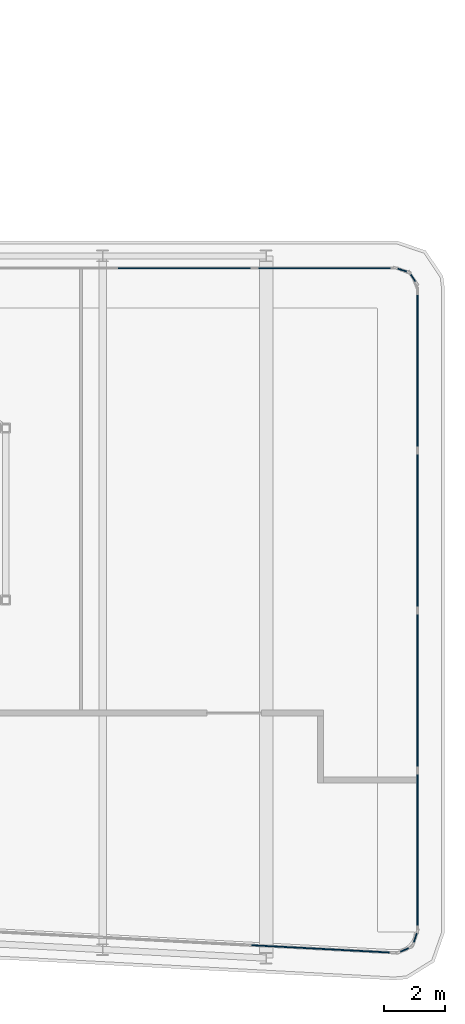
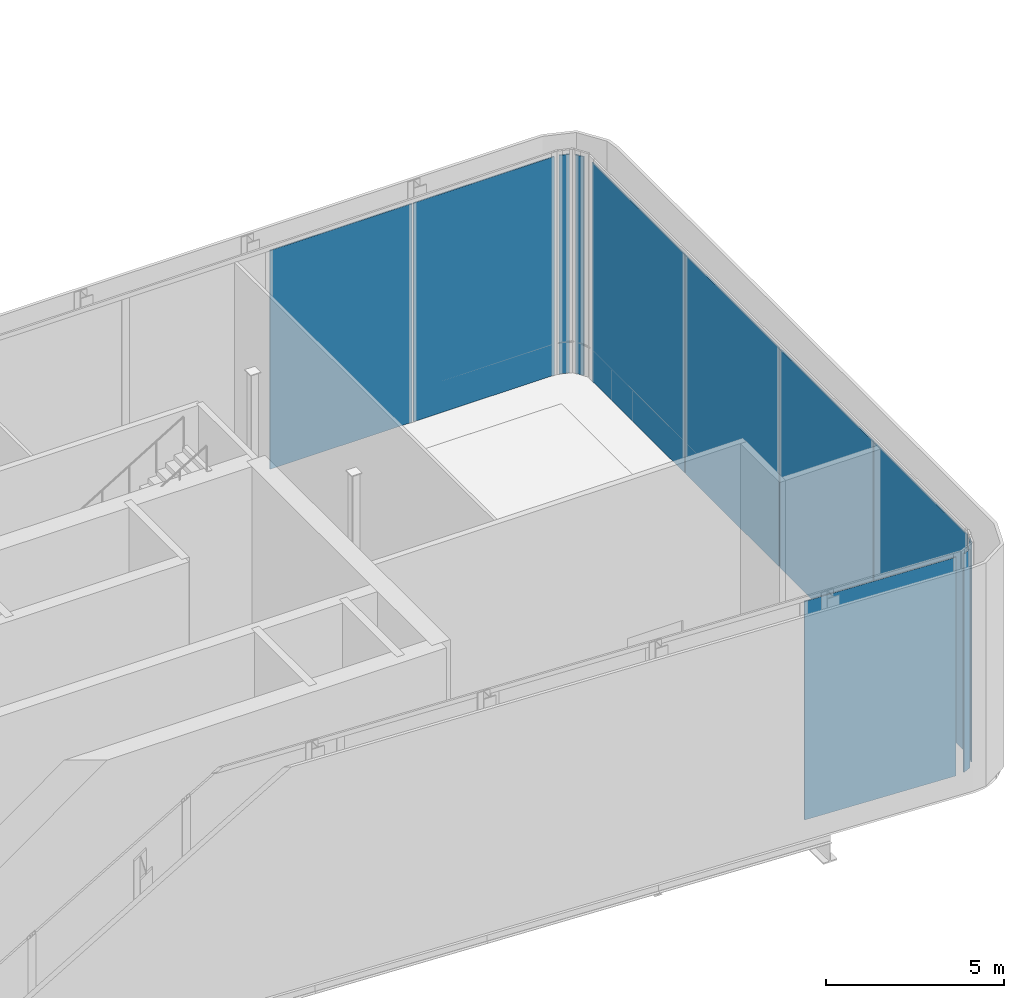
# One storey, part 16 of 28: 11 plates, 7 elements without a shape of their own.
"""IFC4 building model written with IfcOpenShell, lengths in metres."""

import ifcopenshell
import ifcopenshell.guid

model = None  # the IFC model being written
_history = None  # IfcOwnerHistory: only IFC2X3 demands one
_inside = {}  # id of a spatial element -> (the spatial element, [elements in it])
_under = {}  # id of a project, library or spatial element -> (it, [spatial elements below it])
_declared = {}  # id of a project -> (the project, [libraries it declares])
_typed = {}  # id of a type object -> (the type object, [elements of that type])
_made_of = {}  # id of a material, layer set ... -> (it, [elements and type objects made of it])


def new_model(schema):
    """Start an empty IFC model of exactly this schema.

    Asked for "IFC4X3", IfcOpenShell would pick the latest addendum, in which some entities
    have other attributes; the version numbers below select the first issue.
    IFC2X3 requires an IfcOwnerHistory on every rooted entity: one is made here for all.
    """
    global model, _history
    if schema == "IFC4X3":
        model = ifcopenshell.file(schema_version=(4, 3, 0, 0))
    else:
        model = ifcopenshell.file(schema=schema)
    _inside.clear()
    _under.clear()
    _declared.clear()
    _typed.clear()
    _made_of.clear()
    _history = None
    if model.schema == "IFC2X3":
        org = make("IfcOrganization", Name="unknown")
        user = make(
            "IfcPersonAndOrganization",
            ThePerson=make("IfcPerson", FamilyName="unknown"),
            TheOrganization=org,
        )
        app = make(
            "IfcApplication",
            ApplicationDeveloper=org,
            Version="unknown",
            ApplicationFullName="unknown",
            ApplicationIdentifier="unknown",
        )
        _history = make(
            "IfcOwnerHistory",
            OwningUser=user,
            OwningApplication=app,
            ChangeAction="ADDED",
            CreationDate=0,
        )
    return model


def make(cls, **values):
    """One entity of the class cls with the attributes given. An attribute that is None is left unset."""
    return model.create_entity(
        cls, **{name: value for name, value in values.items() if value is not None}
    )


def rooted(cls, **values):
    """An entity with a GlobalId (a new one), such as an element, a storey or a relation."""
    return make(cls, GlobalId=ifcopenshell.guid.new(), OwnerHistory=_history, **values)


def si_unit(unit_type, name, prefix=None):
    """IfcSIUnit, for example si_unit("LENGTHUNIT", "METRE", prefix="MILLI")."""
    return make("IfcSIUnit", UnitType=unit_type, Prefix=prefix, Name=name)


def assignment(units):
    """IfcUnitAssignment: the units of a project."""
    return None if units is None else make("IfcUnitAssignment", Units=units)


def point(xyz):
    """IfcCartesianPoint."""
    return None if xyz is None else make("IfcCartesianPoint", Coordinates=xyz)


def direction(xyz):
    """IfcDirection."""
    return None if xyz is None else make("IfcDirection", DirectionRatios=xyz)


def frame(location, z_axis=None, x_axis=None):
    """IfcAxis2Placement3D, a coordinate frame: its origin and axes. An axis left out is left unset."""
    return make(
        "IfcAxis2Placement3D",
        Location=point(location),
        Axis=direction(z_axis),
        RefDirection=direction(x_axis),
    )


def frame_2d(location, x_axis=None):
    """IfcAxis2Placement2D, a coordinate frame in the plane: its origin and x axis."""
    return make(
        "IfcAxis2Placement2D", Location=point(location), RefDirection=direction(x_axis)
    )


def origin():
    """The frame at (0, 0, 0) with its axes left unset."""
    return frame((0.0, 0.0, 0.0))


def origin_2d():
    """The frame at (0, 0) in the plane with its x axis left unset."""
    return frame_2d((0.0, 0.0))


def place(relative_to, where):
    """IfcLocalPlacement: puts the frame where relative to a parent placement (None: the world)."""
    return make(
        "IfcLocalPlacement", PlacementRelTo=relative_to, RelativePlacement=where
    )


def context(
    kind, dimensions, precision=None, world=None, true_north=None, identifier=None
):
    """IfcGeometricRepresentationContext, for example the 3D "Model" context."""
    return make(
        "IfcGeometricRepresentationContext",
        ContextIdentifier=identifier,
        ContextType=kind,
        CoordinateSpaceDimension=dimensions,
        Precision=precision,
        WorldCoordinateSystem=world,
        TrueNorth=true_north,
    )


def subcontext(parent, identifier, kind, view, scale=None):
    """IfcGeometricRepresentationSubContext, for example "Body" below "Model"."""
    return make(
        "IfcGeometricRepresentationSubContext",
        ContextIdentifier=identifier,
        ContextType=kind,
        ParentContext=parent,
        TargetScale=scale,
        TargetView=view,
    )


def project(units=None, contexts=None):
    """IfcProject with its units and contexts."""
    return rooted(
        "IfcProject",
        Name="project",
        RepresentationContexts=contexts,
        UnitsInContext=assignment(units),
    )


def spatial(cls, under=None, at=None, **own):
    """A site, building, storey or space (cls), placed at a placement, below another one or the project."""
    s = rooted(cls, ObjectPlacement=at, **own)
    if under is not None:
        _under.setdefault(under.id(), (under, []))[1].append(s)
    return s


def profile(cls, at=None, kind="AREA", **sizes):
    """A parametric profile (cls). Its sizes go by their IFC names, for example OverallWidth=200.0."""
    return make(cls, ProfileType=kind, Position=at, **sizes)


def rectangle(**sizes):
    """IfcRectangleProfileDef."""
    return profile("IfcRectangleProfileDef", **sizes)


def extrude(swept, where, along, depth):
    """IfcExtrudedAreaSolid: the profile swept, set in the frame where, extruded along a direction by depth."""
    return make(
        "IfcExtrudedAreaSolid",
        SweptArea=swept,
        Position=where,
        ExtrudedDirection=direction(along),
        Depth=depth,
    )


def shape(context_of_items, identifier, shape_type, items):
    """IfcShapeRepresentation: the items that make up one representation, for example the "Body"."""
    return make(
        "IfcShapeRepresentation",
        ContextOfItems=context_of_items,
        RepresentationIdentifier=identifier,
        RepresentationType=shape_type,
        Items=items,
    )


def material(Name=None, Category=None):
    """IfcMaterial."""
    return make("IfcMaterial", Name=Name, Category=Category)


def layer(
    of_material, thickness, ventilated=None, Name=None, Category=None, Priority=None
):
    """IfcMaterialLayer: one layer of a wall or slab, of a material (None: an air gap)."""
    return make(
        "IfcMaterialLayer",
        Material=of_material,
        LayerThickness=thickness,
        IsVentilated=ventilated,
        Name=Name,
        Category=Category,
        Priority=Priority,
    )


def layer_set(layers, Name=None):
    """IfcMaterialLayerSet."""
    return make("IfcMaterialLayerSet", MaterialLayers=layers, LayerSetName=Name)


def made_of(thing, what):
    """Note that an element or type object is made of a material, layer set ...; save() writes the relation."""
    if what is not None:
        _made_of.setdefault(what.id(), (what, []))[1].append(thing)
    return thing


def type_object(cls, material=None, **own):
    """A type object (cls), such as IfcWallType, which elements share."""
    return made_of(rooted(cls, **own), material)


def element(
    cls,
    number,
    at=None,
    inside=None,
    cuts=None,
    type_object=None,
    material=None,
    context=None,
    identifier="Body",
    shape_type=None,
    held_by="IfcProductDefinitionShape",
    body=None,
    shapes=None,
    **own,
):
    """One element of the class cls, such as IfcWall. Its Tag is "e" and its number.

    at: its placement. inside: the storey or other place that contains it. cuts: it is an
    opening in that element (IfcRelVoidsElement). A single representation is given by context,
    identifier, shape_type and body (its items); several are given by shapes. held_by: the class
    of the entity that holds the representations. save() writes the other relations.
    """
    e = rooted(cls, Tag="e%d" % number, ObjectPlacement=at, **own)
    if body is not None:
        shapes = [shape(context, identifier, shape_type, body)]
    if shapes is not None:
        e.Representation = make(held_by, Representations=shapes)
    if inside is not None:
        _inside.setdefault(inside.id(), (inside, []))[1].append(e)
    if cuts is not None:
        rooted(
            "IfcRelVoidsElement", RelatingBuildingElement=cuts, RelatedOpeningElement=e
        )
    if type_object is not None:
        _typed.setdefault(type_object.id(), (type_object, []))[1].append(e)
    return made_of(e, material)


def aggregate(whole, parts):
    """IfcRelAggregates: a whole, such as a stair, and the parts it consists of."""
    return rooted("IfcRelAggregates", RelatingObject=whole, RelatedObjects=parts)


def save(model, path):
    """Write the relations noted so far, then the file.

    IfcRelAggregates (storeys below a building ...), IfcRelContainedInSpatialStructure (elements
    in a storey), IfcRelDefinesByType, IfcRelAssociatesMaterial and IfcRelDeclares: one each for
    every whole, place, type object, material and project.
    """
    for whole, parts in _under.values():
        aggregate(whole, parts)
    for where, things in _inside.values():
        rooted(
            "IfcRelContainedInSpatialStructure",
            RelatedElements=things,
            RelatingStructure=where,
        )
    for kind, things in _typed.values():
        rooted("IfcRelDefinesByType", RelatedObjects=things, RelatingType=kind)
    for what, things in _made_of.values():
        rooted("IfcRelAssociatesMaterial", RelatedObjects=things, RelatingMaterial=what)
    for by, libraries in _declared.values():
        rooted("IfcRelDeclares", RelatingContext=by, RelatedDefinitions=libraries)
    model.write(path)


model = new_model("IFC4")

# Units and contexts
model_context = context("Model", 3, precision=1e-05, world=origin(), true_north=direction((0.0, 1.0)))
body_context = subcontext(model_context, "Body", "Model", "MODEL_VIEW")
ifc_project = project(units=[si_unit("LENGTHUNIT", "METRE"), si_unit("AREAUNIT", "SQUARE_METRE"), si_unit("VOLUMEUNIT", "CUBIC_METRE"), si_unit("PLANEANGLEUNIT", "RADIAN"), si_unit("MASSUNIT", "GRAM", prefix="KILO")], contexts=[model_context])

# Site, building, storey
site_placement = place(None, origin())
site = spatial("IfcSite", under=ifc_project, at=site_placement, CompositionType="ELEMENT")
building_placement = place(site_placement, origin())
building = spatial("IfcBuilding", under=site, at=building_placement, Name="Kheshtan School and Residences Tower", CompositionType="ELEMENT")
storey_placement = place(building_placement, frame((0.0, 0.0, 325.39990234375)))
storey = spatial("IfcBuildingStorey", under=building, at=storey_placement, Name="L77", CompositionType="ELEMENT", Elevation=325.39990234375)

# Curtain wall, plate
ifc_material = material(Name="Clear low-e glass in thermally broken aluminium frame", Category="aluminium")
ifc_layer_1 = layer(ifc_material, 0.25)
ifc_layer_set_1 = layer_set([ifc_layer_1], Name="Curtain wall CW-K")
curtain_wall_type = type_object("IfcCurtainWallType", Name="Curtain wall CW-K", PredefinedType="NOTDEFINED", material=ifc_layer_set_1)
curtain_wall_1_placement = place(storey_placement, origin())
curtain_wall_1 = element("IfcCurtainWall", 1, at=curtain_wall_1_placement, inside=storey, type_object=curtain_wall_type, Name="Curtain wall CWK1b", PredefinedType="NOTDEFINED")
ifc_layer_2 = layer(ifc_material, 0.0380859375)
ifc_layer_set_2 = layer_set([ifc_layer_2], Name="CW-K glass panel")
plate_type = type_object("IfcPlateType", Name="CW-K glass panel", PredefinedType="CURTAIN_PANEL", material=ifc_layer_set_2)
plate_1_placement = place(storey_placement, frame((68.370849609375, 22.68017578125, 0.0), z_axis=(0.0, 0.0, 1.0), x_axis=(-0.912670616781, -0.40869590806, 0.0)))
plate_1 = element("IfcPlate", 2, at=plate_1_placement, type_object=plate_type, Name="CWK1b panel 1.1", PredefinedType="CURTAIN_PANEL", context=body_context, shape_type="SweptSolid", body=[
    extrude(rectangle(XDim=0.27880859375, YDim=0.0380859375, at=origin_2d()), origin(), (0.0, 0.0, 1.0), 7.489990234375),
])
aggregate(curtain_wall_1, [plate_1])

curtain_wall_2_placement = place(storey_placement, origin())
curtain_wall_2 = element("IfcCurtainWall", 3, at=curtain_wall_2_placement, inside=storey, type_object=curtain_wall_type, Name="Curtain wall CWK2b", PredefinedType="NOTDEFINED")
plate_2_placement = place(storey_placement, frame((65.59130859375, 22.716796875, 0.0), z_axis=(0.0, 0.0, 1.0), x_axis=(-0.998616286057, 0.052588147164, 0.0)))
plate_2 = element("IfcPlate", 4, at=plate_2_placement, type_object=plate_type, Name="CWK2b panel 1.1", PredefinedType="CURTAIN_PANEL", context=body_context, shape_type="SweptSolid", body=[
    extrude(rectangle(XDim=4.769775390625, YDim=0.0380859375, at=origin_2d()), origin(), (0.0, 0.0, 1.0), 7.489990234375),
])
aggregate(curtain_wall_2, [plate_2])

# Curtain wall, plates
curtain_wall_3_placement = place(storey_placement, origin())
curtain_wall_3 = element("IfcCurtainWall", 5, at=curtain_wall_3_placement, inside=storey, type_object=curtain_wall_type, Name="Curtain wall CWK20b", PredefinedType="NOTDEFINED")
plate_3_placement = place(storey_placement, frame((61.0947265625, 45.199951171875, 0.0), z_axis=(0.0, 0.0, 1.0), x_axis=(1.0, 0.0, 0.0)))
plate_3 = element("IfcPlate", 6, at=plate_3_placement, type_object=plate_type, Name="CWK20b panel 3.1", PredefinedType="CURTAIN_PANEL", context=body_context, shape_type="SweptSolid", body=[
    extrude(rectangle(XDim=4.59033203125, YDim=0.0380859375, at=origin_2d()), origin(), (0.0, 0.0, 1.0), 7.489990234375),
])
plate_4_placement = place(storey_placement, frame((65.72998046875, 45.199951171875, 0.0), z_axis=(0.0, 0.0, 1.0), x_axis=(1.0, 0.0, 0.0)))
plate_4 = element("IfcPlate", 7, at=plate_4_placement, type_object=plate_type, Name="CWK20b panel 4.1", PredefinedType="CURTAIN_PANEL", context=body_context, shape_type="SweptSolid", body=[
    extrude(rectangle(XDim=4.560302734375, YDim=0.0380859375, at=origin_2d()), origin(), (0.0, 0.0, 1.0), 7.489990234375),
])
aggregate(curtain_wall_3, [plate_3, plate_4])

# Curtain wall, plate
curtain_wall_4_placement = place(storey_placement, origin())
curtain_wall_4 = element("IfcCurtainWall", 8, at=curtain_wall_4_placement, inside=storey, type_object=curtain_wall_type, Name="Curtain wall CWK21b", PredefinedType="NOTDEFINED")
plate_5_placement = place(storey_placement, frame((68.2978515625, 45.13232421875, 0.0), z_axis=(0.0, 0.0, 1.0), x_axis=(0.952703792543, -0.303900450271, 0.0)))
plate_5 = element("IfcPlate", 9, at=plate_5_placement, type_object=plate_type, Name="CWK21b panel 1.1", PredefinedType="CURTAIN_PANEL", context=body_context, shape_type="SweptSolid", body=[
    extrude(rectangle(XDim=0.294677734375, YDim=0.0380859375, at=origin_2d()), origin(), (0.0, 0.0, 1.0), 7.489990234375),
])
aggregate(curtain_wall_4, [plate_5])

curtain_wall_5_placement = place(storey_placement, origin())
curtain_wall_5 = element("IfcCurtainWall", 10, at=curtain_wall_5_placement, inside=storey, type_object=curtain_wall_type, Name="Curtain wall CWK22b", PredefinedType="NOTDEFINED")
plate_6_placement = place(storey_placement, frame((68.65478515625, 44.8701171875, 0.0), z_axis=(0.0, 0.0, 1.0), x_axis=(0.555301678168, -0.831648992198, 0.0)))
plate_6 = element("IfcPlate", 11, at=plate_6_placement, type_object=plate_type, Name="CWK22b panel 1.1", PredefinedType="CURTAIN_PANEL", context=body_context, shape_type="SweptSolid", body=[
    extrude(rectangle(XDim=0.263671875, YDim=0.0380859375, at=origin_2d()), origin(), (0.0, 0.0, 1.0), 7.489990234375),
])
aggregate(curtain_wall_5, [plate_6])

# Curtain wall, plates
curtain_wall_6_placement = place(storey_placement, origin())
curtain_wall_6 = element("IfcCurtainWall", 12, at=curtain_wall_6_placement, inside=storey, type_object=curtain_wall_type, Name="Curtain wall CWK23b", PredefinedType="NOTDEFINED")
plate_7_placement = place(storey_placement, frame((68.800048828125, 41.810791015625, 0.0), z_axis=(0.0, 0.0, 1.0), x_axis=(0.0, -1.0, 0.0)))
plate_7 = element("IfcPlate", 13, at=plate_7_placement, type_object=plate_type, Name="CWK23b panel 1.1", PredefinedType="CURTAIN_PANEL", context=body_context, shape_type="SweptSolid", body=[
    extrude(rectangle(XDim=5.1982421875, YDim=0.0380859375, at=origin_2d()), origin(), (0.0, 0.0, 1.0), 7.489990234375),
])
plate_8_placement = place(storey_placement, frame((68.800048828125, 36.53759765625, 0.0), z_axis=(0.0, 0.0, 1.0), x_axis=(0.0, -1.0, 0.0)))
plate_8 = element("IfcPlate", 14, at=plate_8_placement, type_object=plate_type, Name="CWK23b panel 2.1", PredefinedType="CURTAIN_PANEL", context=body_context, shape_type="SweptSolid", body=[
    extrude(rectangle(XDim=5.228271484375, YDim=0.0380859375, at=origin_2d()), origin(), (0.0, 0.0, 1.0), 7.489990234375),
])
plate_9_placement = place(storey_placement, frame((68.800048828125, 31.249267578125, 0.0), z_axis=(0.0, 0.0, 1.0), x_axis=(0.0, -1.0, 0.0)))
plate_9 = element("IfcPlate", 15, at=plate_9_placement, type_object=plate_type, Name="CWK23b panel 3.1", PredefinedType="CURTAIN_PANEL", context=body_context, shape_type="SweptSolid", body=[
    extrude(rectangle(XDim=5.228271484375, YDim=0.0380859375, at=origin_2d()), origin(), (0.0, 0.0, 1.0), 7.489990234375),
])
plate_10_placement = place(storey_placement, frame((68.800048828125, 25.97607421875, 0.0), z_axis=(0.0, 0.0, 1.0), x_axis=(0.0, -1.0, 0.0)))
plate_10 = element("IfcPlate", 16, at=plate_10_placement, type_object=plate_type, Name="CWK23b panel 4.1", PredefinedType="CURTAIN_PANEL", context=body_context, shape_type="SweptSolid", body=[
    extrude(rectangle(XDim=5.1982421875, YDim=0.0380859375, at=origin_2d()), origin(), (0.0, 0.0, 1.0), 7.489990234375),
])
aggregate(curtain_wall_6, [plate_7, plate_8, plate_9, plate_10])

# Curtain wall, plate
curtain_wall_7_placement = place(storey_placement, origin())
curtain_wall_7 = element("IfcCurtainWall", 17, at=curtain_wall_7_placement, inside=storey, type_object=curtain_wall_type, Name="Curtain wall CWK24b", PredefinedType="NOTDEFINED")
plate_11_placement = place(storey_placement, frame((68.72900390625, 23.08349609375, 0.0), z_axis=(0.0, 0.0, 1.0), x_axis=(-0.309882207921, -0.950774956135, 0.0)))
plate_11 = element("IfcPlate", 18, at=plate_11_placement, type_object=plate_type, Name="CWK24b panel 1.1", PredefinedType="CURTAIN_PANEL", context=body_context, shape_type="SweptSolid", body=[
    extrude(rectangle(XDim=0.305908203125, YDim=0.0380859375, at=origin_2d()), origin(), (0.0, 0.0, 1.0), 7.489990234375),
])
aggregate(curtain_wall_7, [plate_11])

save(model, "model.ifc")
